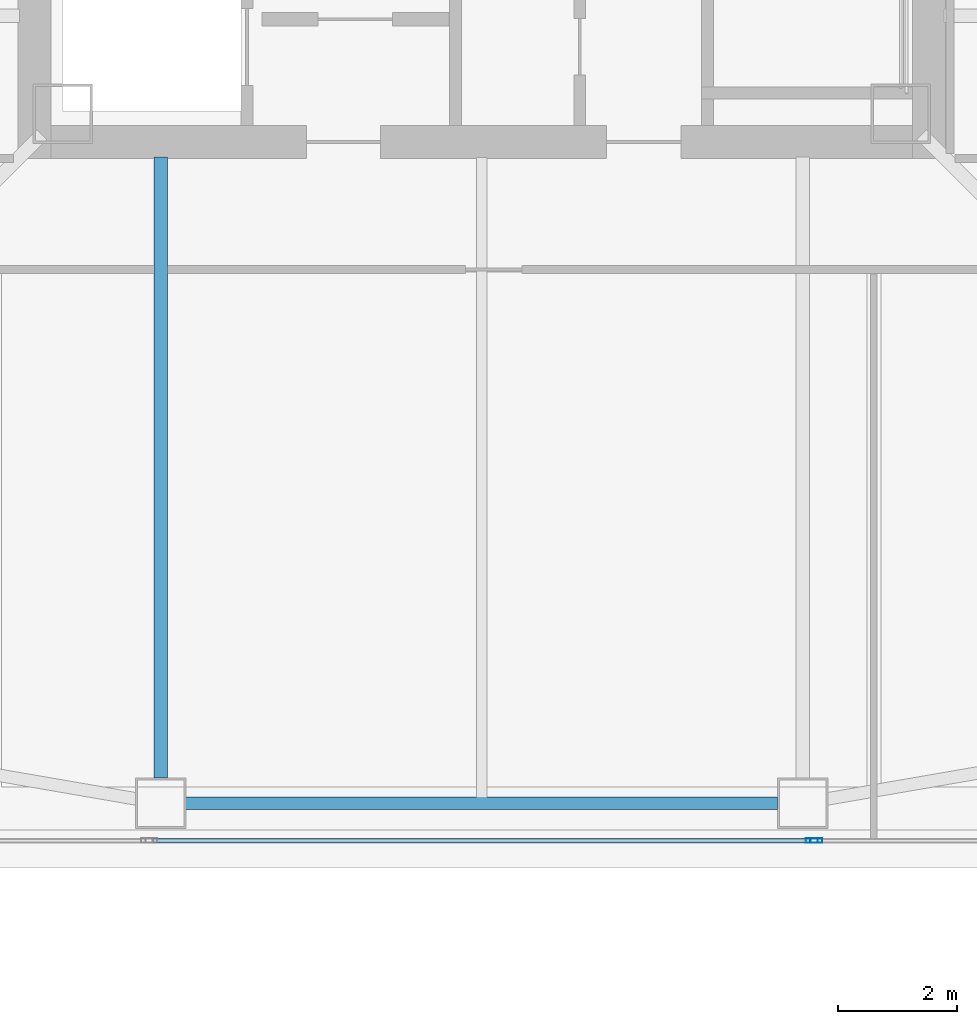
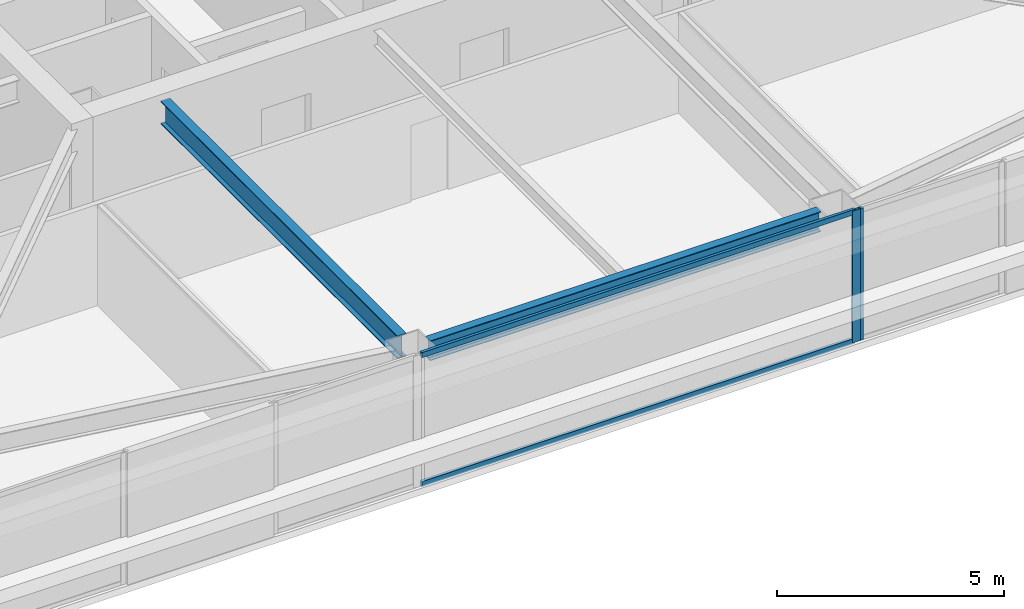
# One storey, part 5 of 46: 4 members, 2 beams, 2 elements without a shape of their own.
"""IFC4 building model written with IfcOpenShell, lengths in metres."""

from ifc_helpers import new_model, si_unit, direction, frame, origin, origin_2d, place, context, subcontext, project, spatial, hollow_rectangle, i_section, extrude, material, material_profile, profile_set, type_object, element, aggregate, save


model = new_model("IFC4")

# Units and contexts
model_context = context("Model", 3, precision=1e-05, world=origin(), true_north=direction((0.0, 1.0)))
body_context = subcontext(model_context, "Body", "Model", "MODEL_VIEW")
ifc_project = project(units=[si_unit("LENGTHUNIT", "METRE"), si_unit("AREAUNIT", "SQUARE_METRE"), si_unit("VOLUMEUNIT", "CUBIC_METRE"), si_unit("PLANEANGLEUNIT", "RADIAN"), si_unit("MASSUNIT", "GRAM", prefix="KILO")], contexts=[model_context])

# Site, building, storey
site_placement = place(None, origin())
site = spatial("IfcSite", under=ifc_project, at=site_placement, CompositionType="ELEMENT")
building_placement = place(site_placement, origin())
building = spatial("IfcBuilding", under=site, at=building_placement, Name="Tashvorn Skyway Center", CompositionType="ELEMENT")
storey_placement = place(building_placement, frame((0.0, 0.0, 139.25)))
storey = spatial("IfcBuildingStorey", under=building, at=storey_placement, Name="L37", CompositionType="ELEMENT", Elevation=139.25)

# Beams
ifc_material_1 = material(Name="Steel ASTM A992 Grade 50", Category="steel")
ifc_material_profile_1 = material_profile(ifc_material_1, i_section(OverallWidth=0.22998046875, OverallDepth=0.616943359375, WebThickness=0.01318359375, FlangeThickness=0.022216796875, at=origin_2d()), Name="W24X94")
ifc_profile_set_1 = profile_set([ifc_material_profile_1], Name="Steel ASTM A992 Grade 50")
beam_type_1 = type_object("IfcBeamType", Name="BM-BEAM-W24X94", PredefinedType="BEAM", material=ifc_profile_set_1)
beam_1_placement = place(storey_placement, frame((36.60009765625, 13.77001953125, 3.0615234375), z_axis=(0.0, 1.0, 0.0), x_axis=(-1.0, 0.0, 0.0)))
element("IfcBeam", 1, at=beam_1_placement, inside=storey, type_object=beam_type_1, Name="Tower 1 L37 Primary Floor Girder FC-S1", PredefinedType="BEAM", context=body_context, shape_type="SweptSolid", body=[
    extrude(i_section(OverallWidth=0.22998046875, OverallDepth=0.616943359375, WebThickness=0.01318359375, FlangeThickness=0.022216796875, at=origin_2d()), origin(), (0.0, 0.0, 1.0), 10.449951171875),
])
ifc_material_profile_2 = material_profile(ifc_material_1, i_section(OverallWidth=0.2109375, OverallDepth=0.5390625, WebThickness=0.01171875, FlangeThickness=0.018798828125, at=origin_2d()), Name="W21X73")
ifc_profile_set_2 = profile_set([ifc_material_profile_2], Name="Steel ASTM A992 Grade 50")
beam_type_2 = type_object("IfcBeamType", Name="BM-SPANDREL-W21X73", PredefinedType="SPANDREL", material=ifc_profile_set_2)
beam_2_placement = place(storey_placement, frame((37.02001953125, 13.35009765625, 3.1005859375), z_axis=(1.0, 0.0, 0.0), x_axis=(0.0, 1.0, 0.0)))
element("IfcBeam", 2, at=beam_2_placement, inside=storey, type_object=beam_type_2, Name="Tower 1 L37 Spandrel Beam 02", PredefinedType="SPANDREL", context=body_context, shape_type="SweptSolid", body=[
    extrude(i_section(OverallWidth=0.2109375, OverallDepth=0.5390625, WebThickness=0.01171875, FlangeThickness=0.018798828125, at=origin_2d()), origin(), (0.0, 0.0, 1.0), 9.9599609375),
])

# Curtain wall, member
ifc_material_2 = material(Name="Thermally broken bronze-anodized aluminium 6063-T6", Category="aluminium")
curtain_wall_type = type_object("IfcCurtainWallType", Name="CW-CW-Z3", PredefinedType="NOTDEFINED", material=ifc_material_2)
curtain_wall_1_placement = place(storey_placement, origin())
curtain_wall_1 = element("IfcCurtainWall", 3, at=curtain_wall_1_placement, inside=storey, type_object=curtain_wall_type, Name="Tower 1 L37 South Unitised Curtain Wall Glazing Group 2", PredefinedType="NOTDEFINED")
ifc_material_profile_3 = material_profile(ifc_material_2, hollow_rectangle(XDim=0.074951171875, YDim=0.199951171875, WallThickness=0.00439453125, at=origin_2d()), Name="ALU-MULL-75x200")
ifc_profile_set_3 = profile_set([ifc_material_profile_3], Name="Thermally broken bronze-anodized aluminium 6063-T6")
member_type_1 = type_object("IfcMemberType", Name="CWM-CW-Z3", PredefinedType="MULLION", material=ifc_profile_set_3)
member_1_placement = place(storey_placement, frame((47.630859375, 12.719970703125, 0.0), z_axis=(0.0, 0.0, 1.0), x_axis=(0.0, -1.0, 0.0)))
member_1 = element("IfcMember", 4, at=member_1_placement, type_object=member_type_1, Name="CW-Z3 mullion 2", PredefinedType="MULLION", context=body_context, shape_type="SweptSolid", body=[
    extrude(hollow_rectangle(XDim=0.074951171875, YDim=0.199951171875, WallThickness=0.00439453125, at=origin_2d()), origin(), (0.0, 0.0, 1.0), 3.550048828125),
])
aggregate(curtain_wall_1, [member_1])

# Curtain wall, members
curtain_wall_2_placement = place(storey_placement, origin())
curtain_wall_2 = element("IfcCurtainWall", 5, at=curtain_wall_2_placement, inside=storey, type_object=curtain_wall_type, Name="Tower 1 L37 South Unitised Curtain Wall Glazing Group 3", PredefinedType="NOTDEFINED")
member_2_placement = place(storey_placement, frame((47.555908203125, 12.719970703125, 0.0), z_axis=(0.0, 0.0, 1.0), x_axis=(0.0, -1.0, 0.0)))
member_2 = element("IfcMember", 6, at=member_2_placement, type_object=member_type_1, Name="CW-Z3 mullion 1", PredefinedType="MULLION", context=body_context, shape_type="SweptSolid", body=[
    extrude(hollow_rectangle(XDim=0.074951171875, YDim=0.199951171875, WallThickness=0.00439453125, at=origin_2d()), origin(), (0.0, 0.0, 1.0), 3.550048828125),
])
ifc_material_profile_4 = material_profile(ifc_material_2, hollow_rectangle(XDim=0.074951171875, YDim=0.139892578125, WallThickness=0.004150390625, at=origin_2d()), Name="ALU-TRAN-75x140")
ifc_profile_set_4 = profile_set([ifc_material_profile_4], Name="Thermally broken bronze-anodized aluminium 6063-T6")
member_type_2 = type_object("IfcMemberType", Name="CWT-CW-Z3", PredefinedType="USERDEFINED", material=ifc_profile_set_4)
member_3_placement = place(storey_placement, frame((47.518310546875, 12.719970703125, 0.03759765625), z_axis=(-1.0, 0.0, 0.0), x_axis=(0.0, -1.0, 0.0)))
member_3 = element("IfcMember", 7, at=member_3_placement, type_object=member_type_2, Name="CW-Z3 transom 1.1", ObjectType="TRANSOM", PredefinedType="USERDEFINED", context=body_context, shape_type="SweptSolid", body=[
    extrude(hollow_rectangle(XDim=0.074951171875, YDim=0.139892578125, WallThickness=0.004150390625, at=origin_2d()), origin(), (0.0, 0.0, 1.0), 11.03662109375),
])
member_4_placement = place(storey_placement, frame((47.518310546875, 12.719970703125, 3.512451171875), z_axis=(-1.0, 0.0, 0.0), x_axis=(0.0, -1.0, 0.0)))
member_4 = element("IfcMember", 8, at=member_4_placement, type_object=member_type_2, Name="CW-Z3 transom 1.2", ObjectType="TRANSOM", PredefinedType="USERDEFINED", context=body_context, shape_type="SweptSolid", body=[
    extrude(hollow_rectangle(XDim=0.074951171875, YDim=0.139892578125, WallThickness=0.004150390625, at=origin_2d()), origin(), (0.0, 0.0, 1.0), 11.03662109375),
])
aggregate(curtain_wall_2, [member_2, member_3, member_4])

save(model, "model.ifc")
